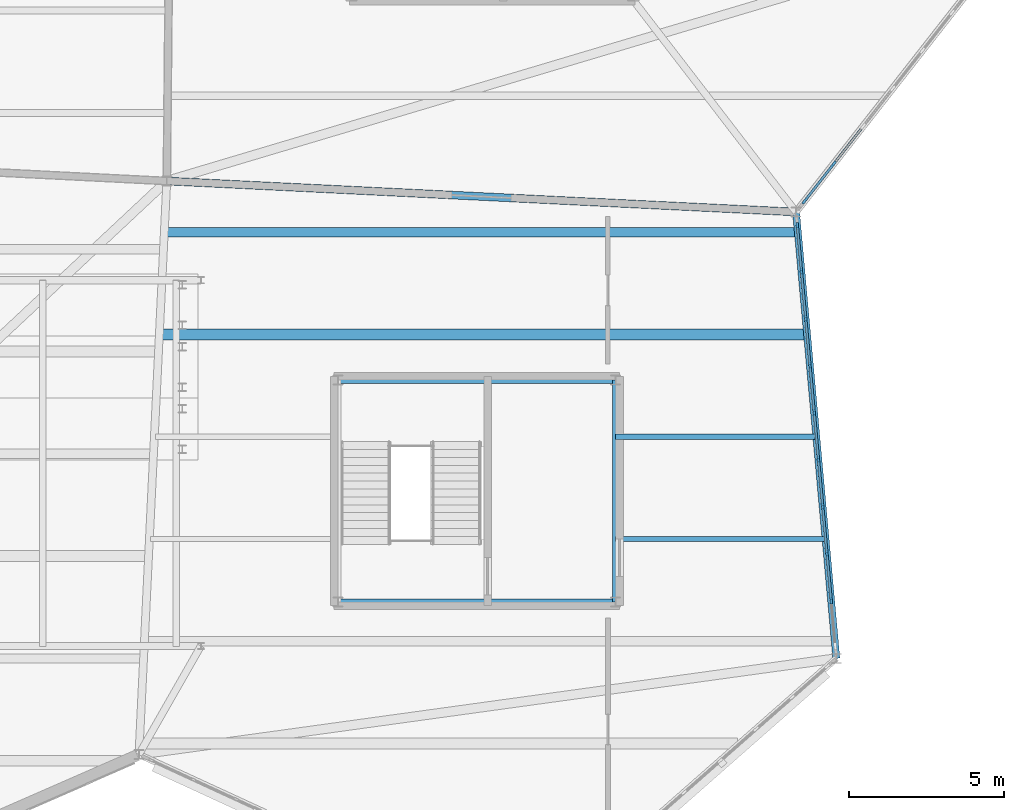
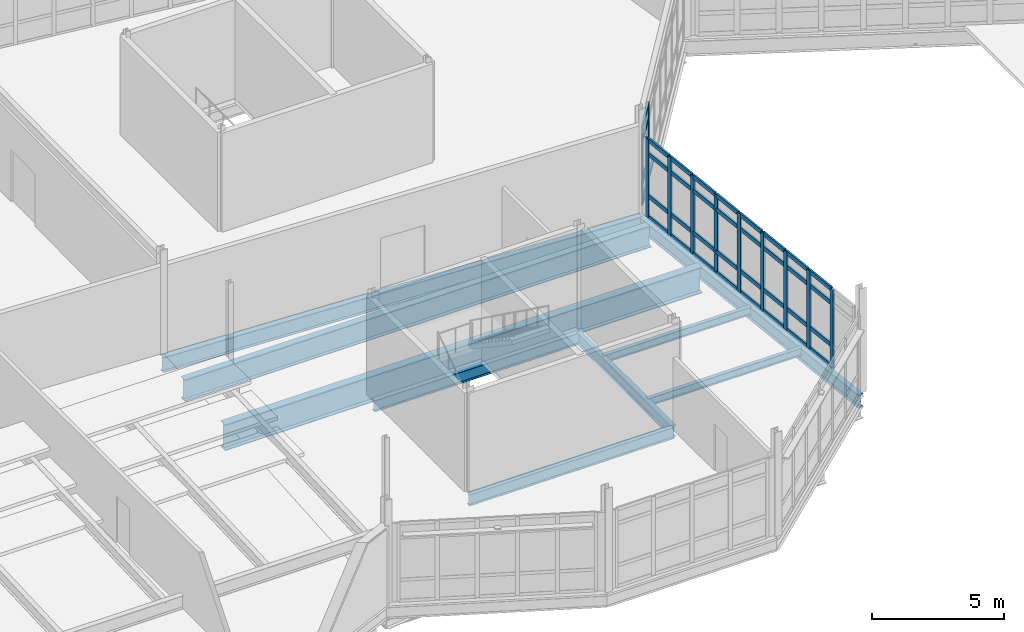
# One storey, part 28 of 134: 48 members, 9 beams, 2 elements without a shape of their own.
"""IFC4 building model written with IfcOpenShell, lengths in metres."""

from ifc_helpers import new_model, si_unit, direction, frame, origin, origin_2d, place, context, subcontext, project, spatial, rectangle, i_section, extrude, material, material_profile, profile_set, type_object, element, aggregate, save


model = new_model("IFC4")

# Units and contexts
model_context = context("Model", 3, precision=1e-05, world=origin(), true_north=direction((0.0, 1.0)))
body_context = subcontext(model_context, "Body", "Model", "MODEL_VIEW")
ifc_project = project(units=[si_unit("LENGTHUNIT", "METRE"), si_unit("AREAUNIT", "SQUARE_METRE"), si_unit("VOLUMEUNIT", "CUBIC_METRE"), si_unit("PLANEANGLEUNIT", "RADIAN"), si_unit("MASSUNIT", "GRAM", prefix="KILO")], contexts=[model_context])

# Site, building, storey
site_placement = place(None, origin())
site = spatial("IfcSite", under=ifc_project, at=site_placement, CompositionType="ELEMENT")
building_placement = place(site_placement, origin())
building = spatial("IfcBuilding", under=site, at=building_placement, Name="Tameran Prism Museum", CompositionType="ELEMENT")
storey_placement = place(building_placement, frame((0.0, 0.0, 5.39990234375)))
storey = spatial("IfcBuildingStorey", under=building, at=storey_placement, Name="L01", CompositionType="ELEMENT", Elevation=5.39990234375)

# Beams
ifc_material_1 = material(Name="Steel Grade 300PLUS (300 MPa)", Category="steel")
ifc_material_profile_1 = material_profile(ifc_material_1, i_section(OverallWidth=0.172119140625, OverallDepth=0.35888671875, WebThickness=0.008056640625, FlangeThickness=0.012939453125, FilletRadius=0.011474609375, at=origin_2d()))
ifc_profile_set_1 = profile_set([ifc_material_profile_1])
beam_type_1 = type_object("IfcBeamType", Name="BM-J360A", PredefinedType="JOIST", material=ifc_profile_set_1)
beam_1_placement = place(storey_placement, frame((37.97998046875, 13.75, -0.37939453125), z_axis=(1.0, 0.0, 0.0), x_axis=(0.0, 1.0, 0.0)))
element("IfcBeam", 1, at=beam_1_placement, inside=storey, type_object=beam_type_1, Name="Floor Beam BM-0594", PredefinedType="JOIST", context=body_context, shape_type="SweptSolid", body=[
    extrude(i_section(OverallWidth=0.172119140625, OverallDepth=0.35888671875, WebThickness=0.008056640625, FlangeThickness=0.012939453125, FilletRadius=0.011474609375, at=origin_2d()), origin(), (0.0, 0.0, 1.0), 6.43408203125),
])
ifc_material_2 = material(Name="Steel Grade 300PLUS (300 MPa)", Category="steel")
ifc_material_profile_2 = material_profile(ifc_material_2, i_section(OverallWidth=0.1708984375, OverallDepth=0.35595703125, WebThickness=0.00732421875, FlangeThickness=0.011474609375, FilletRadius=0.011474609375, at=origin_2d()))
ifc_profile_set_2 = profile_set([ifc_material_profile_2])
beam_type_2 = type_object("IfcBeamType", Name="BM-J360B", PredefinedType="JOIST", material=ifc_profile_set_2)
beam_2_placement = place(storey_placement, frame((37.97998046875, 10.449951171875, -0.3779296875), z_axis=(1.0, 0.0, 0.0), x_axis=(0.0, 1.0, 0.0)))
element("IfcBeam", 2, at=beam_2_placement, inside=storey, type_object=beam_type_2, Name="Floor Beam BM-0592", PredefinedType="JOIST", context=body_context, shape_type="SweptSolid", body=[
    extrude(i_section(OverallWidth=0.1708984375, OverallDepth=0.35595703125, WebThickness=0.00732421875, FlangeThickness=0.011474609375, FilletRadius=0.011474609375, at=origin_2d()), origin(), (0.0, 0.0, 1.0), 6.73193359375),
])
ifc_material_3 = material(Name="Steel Grade 300PLUS (300 MPa)", Category="steel")
ifc_material_profile_3 = material_profile(ifc_material_3, i_section(OverallWidth=0.208984375, OverallDepth=0.528076171875, WebThickness=0.009521484375, FlangeThickness=0.01318359375, FilletRadius=0.013916015625, at=origin_2d()))
ifc_profile_set_3 = profile_set([ifc_material_profile_3])
beam_type_3 = type_object("IfcBeamType", Name="BM-SP530B", PredefinedType="SPANDREL", material=ifc_profile_set_3)
beam_3_placement = place(storey_placement, frame((29.02001953125, 8.419921875, -0.50390625), z_axis=(1.0, 0.0, 0.0), x_axis=(0.0, 1.0, 0.0)))
element("IfcBeam", 3, at=beam_3_placement, inside=storey, type_object=beam_type_3, Name="Core Ring Beam CTB-0466", PredefinedType="SPANDREL", context=body_context, shape_type="SweptSolid", body=[
    extrude(i_section(OverallWidth=0.208984375, OverallDepth=0.528076171875, WebThickness=0.009521484375, FlangeThickness=0.01318359375, FilletRadius=0.013916015625, at=origin_2d()), origin(), (0.0, 0.0, 1.0), 8.9599609375),
])
beam_4_placement = place(storey_placement, frame((37.97998046875, 8.419921875, -0.50390625), z_axis=(0.0, 1.0, 0.0), x_axis=(-1.0, 0.0, 0.0)))
element("IfcBeam", 4, at=beam_4_placement, inside=storey, type_object=beam_type_3, Name="Core Ring Beam CTB-0467", PredefinedType="SPANDREL", context=body_context, shape_type="SweptSolid", body=[
    extrude(i_section(OverallWidth=0.208984375, OverallDepth=0.528076171875, WebThickness=0.009521484375, FlangeThickness=0.01318359375, FilletRadius=0.013916015625, at=origin_2d()), origin(), (0.0, 0.0, 1.0), 7.16015625),
])
beam_5_placement = place(storey_placement, frame((37.97998046875, 15.580078125, -0.50390625), z_axis=(-1.0, 0.0, 0.0), x_axis=(0.0, -1.0, 0.0)))
element("IfcBeam", 5, at=beam_5_placement, inside=storey, type_object=beam_type_3, Name="Core Ring Beam CTB-0468", PredefinedType="SPANDREL", context=body_context, shape_type="SweptSolid", body=[
    extrude(i_section(OverallWidth=0.208984375, OverallDepth=0.528076171875, WebThickness=0.009521484375, FlangeThickness=0.01318359375, FilletRadius=0.013916015625, at=origin_2d()), origin(), (0.0, 0.0, 1.0), 8.9599609375),
])
ifc_material_4 = material(Name="Steel Grade 300PLUS (300 MPa)", Category="steel")
ifc_material_profile_4 = material_profile(ifc_material_4, i_section(OverallWidth=0.22802734375, OverallDepth=0.60205078125, WebThickness=0.010498046875, FlangeThickness=0.014892578125, FilletRadius=0.013916015625, at=origin_2d()))
ifc_profile_set_4 = profile_set([ifc_material_profile_4])
beam_type_4 = type_object("IfcBeamType", Name="BM-SP610", PredefinedType="SPANDREL", material=ifc_profile_set_4)
beam_6_placement = place(storey_placement, frame((45.10009765625, 6.60009765625, -0.5009765625), z_axis=(-0.089916080565, 0.995949345326, 0.0), x_axis=(-0.995949345326, -0.089916080565, 0.0)))
element("IfcBeam", 6, at=beam_6_placement, inside=storey, type_object=beam_type_4, Name="Perimeter Spandrel SP-0394", PredefinedType="SPANDREL", context=body_context, shape_type="SweptSolid", body=[
    extrude(i_section(OverallWidth=0.22802734375, OverallDepth=0.60205078125, WebThickness=0.010498046875, FlangeThickness=0.014892578125, FilletRadius=0.013916015625, at=origin_2d()), origin(), (0.0, 0.0, 1.0), 14.45849609375),
])
ifc_material_5 = material(Name="Steel Grade 350 (350 MPa)", Category="steel")
ifc_material_profile_5 = material_profile(ifc_material_5, i_section(OverallWidth=0.25, OverallDepth=0.699951171875, WebThickness=0.010009765625, FlangeThickness=0.02001953125, at=origin_2d()))
ifc_profile_set_5 = profile_set([ifc_material_profile_5])
beam_type_5 = type_object("IfcBeamType", Name="BM-SP700", PredefinedType="SPANDREL", material=ifc_profile_set_5)
beam_7_placement = place(storey_placement, frame((43.800048828125, 21.0, -0.5498046875), z_axis=(-0.998788882418, 0.049201304434, 0.0), x_axis=(-0.049201304434, -0.998788882418, 0.0)))
element("IfcBeam", 7, at=beam_7_placement, inside=storey, type_object=beam_type_5, Name="Perimeter Spandrel SP-0395", PredefinedType="SPANDREL", context=body_context, shape_type="SweptSolid", body=[
    extrude(i_section(OverallWidth=0.25, OverallDepth=0.699951171875, WebThickness=0.010009765625, FlangeThickness=0.02001953125, at=origin_2d()), origin(), (0.0, 0.0, 1.0), 20.32470703125),
])
ifc_material_6 = material(Name="Steel Grade 350 (350 MPa)", Category="steel")
ifc_material_profile_6 = material_profile(ifc_material_6, i_section(OverallWidth=0.300048828125, OverallDepth=1.0, WebThickness=0.01611328125, FlangeThickness=0.031982421875, at=origin_2d()))
ifc_profile_set_6 = profile_set([ifc_material_profile_6])
beam_type_6 = type_object("IfcBeamType", Name="BM-WB1000", PredefinedType="BEAM", material=ifc_profile_set_6)
beam_8_placement = place(storey_placement, frame((23.4599609375, 20.35009765625, -0.699951171875), z_axis=(1.0, 0.0, 0.0), x_axis=(0.0, 1.0, 0.0)))
element("IfcBeam", 8, at=beam_8_placement, inside=storey, type_object=beam_type_6, Name="Floor Beam BM-0596", PredefinedType="BEAM", context=body_context, shape_type="SweptSolid", body=[
    extrude(i_section(OverallWidth=0.300048828125, OverallDepth=1.0, WebThickness=0.01611328125, FlangeThickness=0.031982421875, at=origin_2d()), origin(), (0.0, 0.0, 1.0), 20.359130859375),
])
ifc_material_7 = material(Name="Steel Grade 350 (350 MPa)", Category="steel")
ifc_material_profile_7 = material_profile(ifc_material_7, i_section(OverallWidth=0.35009765625, OverallDepth=1.199951171875, WebThickness=0.01611328125, FlangeThickness=0.035888671875, at=origin_2d()))
ifc_profile_set_7 = profile_set([ifc_material_profile_7])
beam_type_7 = type_object("IfcBeamType", Name="BM-WB1200", PredefinedType="BEAM", material=ifc_profile_set_7)
beam_9_placement = place(storey_placement, frame((23.299072265625, 17.050048828125, -0.7998046875), z_axis=(1.0, 0.0, 0.0), x_axis=(0.0, 1.0, 0.0)))
element("IfcBeam", 9, at=beam_9_placement, inside=storey, type_object=beam_type_7, Name="Floor Beam BM-0595", PredefinedType="BEAM", context=body_context, shape_type="SweptSolid", body=[
    extrude(i_section(OverallWidth=0.35009765625, OverallDepth=1.199951171875, WebThickness=0.01611328125, FlangeThickness=0.035888671875, at=origin_2d()), origin(), (0.0, 0.0, 1.0), 20.81689453125),
])

# Curtain wall, members
ifc_material_8 = material(Name="Anodised Aluminium 6063-T6 and Cyclone Solar Glass", Category="aluminium")
curtain_wall_type_1 = type_object("IfcCurtainWallType", Name="CW-FAC-1370x362", PredefinedType="USERDEFINED", material=ifc_material_8)
curtain_wall_1_placement = place(storey_placement, origin())
curtain_wall_1 = element("IfcCurtainWall", 10, at=curtain_wall_1_placement, inside=storey, type_object=curtain_wall_type_1, Name="Unitised Curtain Wall CW-086", ObjectType="UNITISED CURTAIN WALL", PredefinedType="USERDEFINED")
ifc_material_9 = material(Name="Anodised Aluminium Alloy 6063-T6", Category="aluminium")
ifc_material_profile_8 = material_profile(ifc_material_9, rectangle(XDim=0.080078125, YDim=0.219970703125, at=origin_2d()))
ifc_profile_set_8 = profile_set([ifc_material_profile_8])
member_type_1 = type_object("IfcMemberType", Name="CW-MUL-D", PredefinedType="MULLION", material=ifc_profile_set_8)
member_1_placement = place(storey_placement, frame((43.839599609375, 20.55126953125, 0.0), z_axis=(0.0, 0.0, 1.0), x_axis=(0.995940344723, 0.090015719474, 0.0)))
member_1 = element("IfcMember", 11, at=member_1_placement, type_object=member_type_1, Name="CW-086 mullion 1", PredefinedType="MULLION", context=body_context, shape_type="SweptSolid", body=[
    extrude(rectangle(XDim=0.080078125, YDim=0.219970703125, at=origin_2d()), origin(), (0.0, 0.0, 1.0), 3.6201171875),
])
member_2_placement = place(storey_placement, frame((43.972900390625, 19.0751953125, 0.0), z_axis=(0.0, 0.0, 1.0), x_axis=(0.995940344723, 0.090015719474, 0.0)))
member_2 = element("IfcMember", 12, at=member_2_placement, type_object=member_type_1, Name="CW-086 mullion 2", PredefinedType="MULLION", context=body_context, shape_type="SweptSolid", body=[
    extrude(rectangle(XDim=0.080078125, YDim=0.219970703125, at=origin_2d()), origin(), (0.0, 0.0, 1.0), 3.6201171875),
])
member_3_placement = place(storey_placement, frame((44.110107421875, 17.559326171875, 0.0), z_axis=(0.0, 0.0, 1.0), x_axis=(0.995940344723, 0.090015719474, 0.0)))
member_3 = element("IfcMember", 13, at=member_3_placement, type_object=member_type_1, Name="CW-086 mullion 3", PredefinedType="MULLION", context=body_context, shape_type="SweptSolid", body=[
    extrude(rectangle(XDim=0.080078125, YDim=0.219970703125, at=origin_2d()), origin(), (0.0, 0.0, 1.0), 3.6201171875),
])
member_4_placement = place(storey_placement, frame((44.2470703125, 16.043701171875, 0.0), z_axis=(0.0, 0.0, 1.0), x_axis=(0.995940344723, 0.090015719474, 0.0)))
member_4 = element("IfcMember", 14, at=member_4_placement, type_object=member_type_1, Name="CW-086 mullion 4", PredefinedType="MULLION", context=body_context, shape_type="SweptSolid", body=[
    extrude(rectangle(XDim=0.080078125, YDim=0.219970703125, at=origin_2d()), origin(), (0.0, 0.0, 1.0), 3.6201171875),
])
member_5_placement = place(storey_placement, frame((44.384033203125, 14.52783203125, 0.0), z_axis=(0.0, 0.0, 1.0), x_axis=(0.995940344723, 0.090015719474, 0.0)))
member_5 = element("IfcMember", 15, at=member_5_placement, type_object=member_type_1, Name="CW-086 mullion 5", PredefinedType="MULLION", context=body_context, shape_type="SweptSolid", body=[
    extrude(rectangle(XDim=0.080078125, YDim=0.219970703125, at=origin_2d()), origin(), (0.0, 0.0, 1.0), 3.6201171875),
])
member_6_placement = place(storey_placement, frame((44.52099609375, 13.01220703125, 0.0), z_axis=(0.0, 0.0, 1.0), x_axis=(0.995940344723, 0.090015719474, 0.0)))
member_6 = element("IfcMember", 16, at=member_6_placement, type_object=member_type_1, Name="CW-086 mullion 6", PredefinedType="MULLION", context=body_context, shape_type="SweptSolid", body=[
    extrude(rectangle(XDim=0.080078125, YDim=0.219970703125, at=origin_2d()), origin(), (0.0, 0.0, 1.0), 3.6201171875),
])
member_7_placement = place(storey_placement, frame((44.657958984375, 11.496337890625, 0.0), z_axis=(0.0, 0.0, 1.0), x_axis=(0.995940344723, 0.090015719474, 0.0)))
member_7 = element("IfcMember", 17, at=member_7_placement, type_object=member_type_1, Name="CW-086 mullion 7", PredefinedType="MULLION", context=body_context, shape_type="SweptSolid", body=[
    extrude(rectangle(XDim=0.080078125, YDim=0.219970703125, at=origin_2d()), origin(), (0.0, 0.0, 1.0), 3.6201171875),
])
member_8_placement = place(storey_placement, frame((44.794921875, 9.98046875, 0.0), z_axis=(0.0, 0.0, 1.0), x_axis=(0.995940344723, 0.090015719474, 0.0)))
member_8 = element("IfcMember", 18, at=member_8_placement, type_object=member_type_1, Name="CW-086 mullion 8", PredefinedType="MULLION", context=body_context, shape_type="SweptSolid", body=[
    extrude(rectangle(XDim=0.080078125, YDim=0.219970703125, at=origin_2d()), origin(), (0.0, 0.0, 1.0), 3.6201171875),
])
member_9_placement = place(storey_placement, frame((44.931884765625, 8.46484375, 0.0), z_axis=(0.0, 0.0, 1.0), x_axis=(0.995940344723, 0.090015719474, 0.0)))
member_9 = element("IfcMember", 19, at=member_9_placement, type_object=member_type_1, Name="CW-086 mullion 9", PredefinedType="MULLION", context=body_context, shape_type="SweptSolid", body=[
    extrude(rectangle(XDim=0.080078125, YDim=0.219970703125, at=origin_2d()), origin(), (0.0, 0.0, 1.0), 3.6201171875),
])

ifc_material_10 = material(Name="Anodised Aluminium 6063-T6 and Cyclone Solar Glass", Category="aluminium")
curtain_wall_type_2 = type_object("IfcCurtainWallType", Name="CW-FAC-1086x362", PredefinedType="USERDEFINED", material=ifc_material_10)
curtain_wall_2_placement = place(storey_placement, origin())
curtain_wall_2 = element("IfcCurtainWall", 20, at=curtain_wall_2_placement, inside=storey, type_object=curtain_wall_type_2, Name="Unitised Curtain Wall CW-090", ObjectType="UNITISED CURTAIN WALL", PredefinedType="USERDEFINED")
member_10_placement = place(storey_placement, frame((45.00927734375, 22.544921875, 0.0), z_axis=(0.0, 0.0, 1.0), x_axis=(0.787524428179, -0.616283437245, 0.0)))
member_10 = element("IfcMember", 21, at=member_10_placement, type_object=member_type_1, Name="CW-090 mullion 7", PredefinedType="MULLION", context=body_context, shape_type="SweptSolid", body=[
    extrude(rectangle(XDim=0.080078125, YDim=0.219970703125, at=origin_2d()), origin(), (0.0, 0.0, 1.0), 3.6201171875),
])
member_11_placement = place(storey_placement, frame((44.07763671875, 21.3544921875, 0.0), z_axis=(0.0, 0.0, 1.0), x_axis=(0.787524428179, -0.616283437245, 0.0)))
member_11 = element("IfcMember", 22, at=member_11_placement, type_object=member_type_1, Name="CW-090 mullion 8", PredefinedType="MULLION", context=body_context, shape_type="SweptSolid", body=[
    extrude(rectangle(XDim=0.080078125, YDim=0.219970703125, at=origin_2d()), origin(), (0.0, 0.0, 1.0), 3.6201171875),
])

# Member
ifc_material_11 = material(Name="Anodised Aluminium Alloy 6063-T6", Category="aluminium")
ifc_material_profile_9 = material_profile(ifc_material_11, rectangle(XDim=0.080078125, YDim=0.195068359375, at=origin_2d()))
ifc_profile_set_9 = profile_set([ifc_material_profile_9])
member_type_2 = type_object("IfcMemberType", Name="CW-TRN-D", PredefinedType="USERDEFINED", material=ifc_profile_set_9)
member_12_placement = place(storey_placement, frame((43.84326171875, 20.51123046875, 0.0400390625), z_axis=(0.090033281605, -0.995938757255, 0.0), x_axis=(0.995938757255, 0.090033281605, 0.0)))
member_12 = element("IfcMember", 23, at=member_12_placement, type_object=member_type_2, Name="CW-086 transom 1.1", ObjectType="TRANSOM", PredefinedType="USERDEFINED", context=body_context, shape_type="SweptSolid", body=[
    extrude(rectangle(XDim=0.080078125, YDim=0.195068359375, at=origin_2d()), origin(), (0.0, 0.0, 1.0), 1.40185546875),
])

member_13_placement = place(storey_placement, frame((43.84326171875, 20.51123046875, 1.0), z_axis=(0.090033281605, -0.995938757255, 0.0), x_axis=(0.995938757255, 0.090033281605, 0.0)))
member_13 = element("IfcMember", 24, at=member_13_placement, type_object=member_type_2, Name="CW-086 transom 1.2", ObjectType="TRANSOM", PredefinedType="USERDEFINED", context=body_context, shape_type="SweptSolid", body=[
    extrude(rectangle(XDim=0.080078125, YDim=0.195068359375, at=origin_2d()), origin(), (0.0, 0.0, 1.0), 1.40185546875),
])

member_14_placement = place(storey_placement, frame((43.84326171875, 20.51123046875, 2.940185546875), z_axis=(0.090033281605, -0.995938757255, 0.0), x_axis=(0.995938757255, 0.090033281605, 0.0)))
member_14 = element("IfcMember", 25, at=member_14_placement, type_object=member_type_2, Name="CW-086 transom 1.3", ObjectType="TRANSOM", PredefinedType="USERDEFINED", context=body_context, shape_type="SweptSolid", body=[
    extrude(rectangle(XDim=0.080078125, YDim=0.195068359375, at=origin_2d()), origin(), (0.0, 0.0, 1.0), 1.40185546875),
])

member_15_placement = place(storey_placement, frame((43.84326171875, 20.51123046875, 3.580078125), z_axis=(0.090033281605, -0.995938757255, 0.0), x_axis=(0.995938757255, 0.090033281605, 0.0)))
member_15 = element("IfcMember", 26, at=member_15_placement, type_object=member_type_2, Name="CW-086 transom 1.4", ObjectType="TRANSOM", PredefinedType="USERDEFINED", context=body_context, shape_type="SweptSolid", body=[
    extrude(rectangle(XDim=0.080078125, YDim=0.195068359375, at=origin_2d()), origin(), (0.0, 0.0, 1.0), 1.40185546875),
])

member_16_placement = place(storey_placement, frame((43.9765625, 19.035400390625, 0.0400390625), z_axis=(0.090077742278, -0.995934736991, 0.0), x_axis=(0.995934736991, 0.090077742278, 0.0)))
member_16 = element("IfcMember", 27, at=member_16_placement, type_object=member_type_2, Name="CW-086 transom 2.1", ObjectType="TRANSOM", PredefinedType="USERDEFINED", context=body_context, shape_type="SweptSolid", body=[
    extrude(rectangle(XDim=0.080078125, YDim=0.195068359375, at=origin_2d()), origin(), (0.0, 0.0, 1.0), 1.44189453125),
])

member_17_placement = place(storey_placement, frame((43.9765625, 19.035400390625, 1.0), z_axis=(0.090077742278, -0.995934736991, 0.0), x_axis=(0.995934736991, 0.090077742278, 0.0)))
member_17 = element("IfcMember", 28, at=member_17_placement, type_object=member_type_2, Name="CW-086 transom 2.2", ObjectType="TRANSOM", PredefinedType="USERDEFINED", context=body_context, shape_type="SweptSolid", body=[
    extrude(rectangle(XDim=0.080078125, YDim=0.195068359375, at=origin_2d()), origin(), (0.0, 0.0, 1.0), 1.44189453125),
])

member_18_placement = place(storey_placement, frame((43.9765625, 19.035400390625, 2.940185546875), z_axis=(0.090077742278, -0.995934736991, 0.0), x_axis=(0.995934736991, 0.090077742278, 0.0)))
member_18 = element("IfcMember", 29, at=member_18_placement, type_object=member_type_2, Name="CW-086 transom 2.3", ObjectType="TRANSOM", PredefinedType="USERDEFINED", context=body_context, shape_type="SweptSolid", body=[
    extrude(rectangle(XDim=0.080078125, YDim=0.195068359375, at=origin_2d()), origin(), (0.0, 0.0, 1.0), 1.44189453125),
])

member_19_placement = place(storey_placement, frame((43.9765625, 19.035400390625, 3.580078125), z_axis=(0.090077742278, -0.995934736991, 0.0), x_axis=(0.995934736991, 0.090077742278, 0.0)))
member_19 = element("IfcMember", 30, at=member_19_placement, type_object=member_type_2, Name="CW-086 transom 2.4", ObjectType="TRANSOM", PredefinedType="USERDEFINED", context=body_context, shape_type="SweptSolid", body=[
    extrude(rectangle(XDim=0.080078125, YDim=0.195068359375, at=origin_2d()), origin(), (0.0, 0.0, 1.0), 1.44189453125),
])

member_20_placement = place(storey_placement, frame((44.113525390625, 17.51953125, 0.0400390625), z_axis=(0.090077742278, -0.995934736991, 0.0), x_axis=(0.995934736991, 0.090077742278, 0.0)))
member_20 = element("IfcMember", 31, at=member_20_placement, type_object=member_type_2, Name="CW-086 transom 3.1", ObjectType="TRANSOM", PredefinedType="USERDEFINED", context=body_context, shape_type="SweptSolid", body=[
    extrude(rectangle(XDim=0.080078125, YDim=0.195068359375, at=origin_2d()), origin(), (0.0, 0.0, 1.0), 1.44189453125),
])

member_21_placement = place(storey_placement, frame((44.113525390625, 17.51953125, 1.0), z_axis=(0.090077742278, -0.995934736991, 0.0), x_axis=(0.995934736991, 0.090077742278, 0.0)))
member_21 = element("IfcMember", 32, at=member_21_placement, type_object=member_type_2, Name="CW-086 transom 3.2", ObjectType="TRANSOM", PredefinedType="USERDEFINED", context=body_context, shape_type="SweptSolid", body=[
    extrude(rectangle(XDim=0.080078125, YDim=0.195068359375, at=origin_2d()), origin(), (0.0, 0.0, 1.0), 1.44189453125),
])

member_22_placement = place(storey_placement, frame((44.113525390625, 17.51953125, 2.940185546875), z_axis=(0.090077742278, -0.995934736991, 0.0), x_axis=(0.995934736991, 0.090077742278, 0.0)))
member_22 = element("IfcMember", 33, at=member_22_placement, type_object=member_type_2, Name="CW-086 transom 3.3", ObjectType="TRANSOM", PredefinedType="USERDEFINED", context=body_context, shape_type="SweptSolid", body=[
    extrude(rectangle(XDim=0.080078125, YDim=0.195068359375, at=origin_2d()), origin(), (0.0, 0.0, 1.0), 1.44189453125),
])

member_23_placement = place(storey_placement, frame((44.113525390625, 17.51953125, 3.580078125), z_axis=(0.090077742278, -0.995934736991, 0.0), x_axis=(0.995934736991, 0.090077742278, 0.0)))
member_23 = element("IfcMember", 34, at=member_23_placement, type_object=member_type_2, Name="CW-086 transom 3.4", ObjectType="TRANSOM", PredefinedType="USERDEFINED", context=body_context, shape_type="SweptSolid", body=[
    extrude(rectangle(XDim=0.080078125, YDim=0.195068359375, at=origin_2d()), origin(), (0.0, 0.0, 1.0), 1.44189453125),
])

member_24_placement = place(storey_placement, frame((44.25048828125, 16.00390625, 0.0400390625), z_axis=(0.090062554952, -0.995936110499, 0.0), x_axis=(0.995936110499, 0.090062554952, 0.0)))
member_24 = element("IfcMember", 35, at=member_24_placement, type_object=member_type_2, Name="CW-086 transom 4.1", ObjectType="TRANSOM", PredefinedType="USERDEFINED", context=body_context, shape_type="SweptSolid", body=[
    extrude(rectangle(XDim=0.080078125, YDim=0.195068359375, at=origin_2d()), origin(), (0.0, 0.0, 1.0), 1.442138671875),
])

member_25_placement = place(storey_placement, frame((44.25048828125, 16.00390625, 1.0), z_axis=(0.090062554952, -0.995936110499, 0.0), x_axis=(0.995936110499, 0.090062554952, 0.0)))
member_25 = element("IfcMember", 36, at=member_25_placement, type_object=member_type_2, Name="CW-086 transom 4.2", ObjectType="TRANSOM", PredefinedType="USERDEFINED", context=body_context, shape_type="SweptSolid", body=[
    extrude(rectangle(XDim=0.080078125, YDim=0.195068359375, at=origin_2d()), origin(), (0.0, 0.0, 1.0), 1.442138671875),
])

member_26_placement = place(storey_placement, frame((44.25048828125, 16.00390625, 2.940185546875), z_axis=(0.090062554952, -0.995936110499, 0.0), x_axis=(0.995936110499, 0.090062554952, 0.0)))
member_26 = element("IfcMember", 37, at=member_26_placement, type_object=member_type_2, Name="CW-086 transom 4.3", ObjectType="TRANSOM", PredefinedType="USERDEFINED", context=body_context, shape_type="SweptSolid", body=[
    extrude(rectangle(XDim=0.080078125, YDim=0.195068359375, at=origin_2d()), origin(), (0.0, 0.0, 1.0), 1.442138671875),
])

member_27_placement = place(storey_placement, frame((44.25048828125, 16.00390625, 3.580078125), z_axis=(0.090062554952, -0.995936110499, 0.0), x_axis=(0.995936110499, 0.090062554952, 0.0)))
member_27 = element("IfcMember", 38, at=member_27_placement, type_object=member_type_2, Name="CW-086 transom 4.4", ObjectType="TRANSOM", PredefinedType="USERDEFINED", context=body_context, shape_type="SweptSolid", body=[
    extrude(rectangle(XDim=0.080078125, YDim=0.195068359375, at=origin_2d()), origin(), (0.0, 0.0, 1.0), 1.442138671875),
])

member_28_placement = place(storey_placement, frame((44.3876953125, 14.488037109375, 0.0400390625), z_axis=(0.089909793229, -0.995949912938, 0.0), x_axis=(0.995949912938, 0.089909793229, 0.0)))
member_28 = element("IfcMember", 39, at=member_28_placement, type_object=member_type_2, Name="CW-086 transom 5.1", ObjectType="TRANSOM", PredefinedType="USERDEFINED", context=body_context, shape_type="SweptSolid", body=[
    extrude(rectangle(XDim=0.080078125, YDim=0.195068359375, at=origin_2d()), origin(), (0.0, 0.0, 1.0), 1.44189453125),
])

member_29_placement = place(storey_placement, frame((44.3876953125, 14.488037109375, 1.0), z_axis=(0.089909793229, -0.995949912938, 0.0), x_axis=(0.995949912938, 0.089909793229, 0.0)))
member_29 = element("IfcMember", 40, at=member_29_placement, type_object=member_type_2, Name="CW-086 transom 5.2", ObjectType="TRANSOM", PredefinedType="USERDEFINED", context=body_context, shape_type="SweptSolid", body=[
    extrude(rectangle(XDim=0.080078125, YDim=0.195068359375, at=origin_2d()), origin(), (0.0, 0.0, 1.0), 1.44189453125),
])

member_30_placement = place(storey_placement, frame((44.3876953125, 14.488037109375, 2.940185546875), z_axis=(0.089909793229, -0.995949912938, 0.0), x_axis=(0.995949912938, 0.089909793229, 0.0)))
member_30 = element("IfcMember", 41, at=member_30_placement, type_object=member_type_2, Name="CW-086 transom 5.3", ObjectType="TRANSOM", PredefinedType="USERDEFINED", context=body_context, shape_type="SweptSolid", body=[
    extrude(rectangle(XDim=0.080078125, YDim=0.195068359375, at=origin_2d()), origin(), (0.0, 0.0, 1.0), 1.44189453125),
])

member_31_placement = place(storey_placement, frame((44.3876953125, 14.488037109375, 3.580078125), z_axis=(0.089909793229, -0.995949912938, 0.0), x_axis=(0.995949912938, 0.089909793229, 0.0)))
member_31 = element("IfcMember", 42, at=member_31_placement, type_object=member_type_2, Name="CW-086 transom 5.4", ObjectType="TRANSOM", PredefinedType="USERDEFINED", context=body_context, shape_type="SweptSolid", body=[
    extrude(rectangle(XDim=0.080078125, YDim=0.195068359375, at=origin_2d()), origin(), (0.0, 0.0, 1.0), 1.44189453125),
])

member_32_placement = place(storey_placement, frame((44.524658203125, 12.97216796875, 0.0400390625), z_axis=(0.089909793229, -0.995949912938, 0.0), x_axis=(0.995949912938, 0.089909793229, 0.0)))
member_32 = element("IfcMember", 43, at=member_32_placement, type_object=member_type_2, Name="CW-086 transom 6.1", ObjectType="TRANSOM", PredefinedType="USERDEFINED", context=body_context, shape_type="SweptSolid", body=[
    extrude(rectangle(XDim=0.080078125, YDim=0.195068359375, at=origin_2d()), origin(), (0.0, 0.0, 1.0), 1.44189453125),
])

member_33_placement = place(storey_placement, frame((44.524658203125, 12.97216796875, 1.0), z_axis=(0.089909793229, -0.995949912938, 0.0), x_axis=(0.995949912938, 0.089909793229, 0.0)))
member_33 = element("IfcMember", 44, at=member_33_placement, type_object=member_type_2, Name="CW-086 transom 6.2", ObjectType="TRANSOM", PredefinedType="USERDEFINED", context=body_context, shape_type="SweptSolid", body=[
    extrude(rectangle(XDim=0.080078125, YDim=0.195068359375, at=origin_2d()), origin(), (0.0, 0.0, 1.0), 1.44189453125),
])

member_34_placement = place(storey_placement, frame((44.524658203125, 12.97216796875, 2.940185546875), z_axis=(0.089909793229, -0.995949912938, 0.0), x_axis=(0.995949912938, 0.089909793229, 0.0)))
member_34 = element("IfcMember", 45, at=member_34_placement, type_object=member_type_2, Name="CW-086 transom 6.3", ObjectType="TRANSOM", PredefinedType="USERDEFINED", context=body_context, shape_type="SweptSolid", body=[
    extrude(rectangle(XDim=0.080078125, YDim=0.195068359375, at=origin_2d()), origin(), (0.0, 0.0, 1.0), 1.44189453125),
])

member_35_placement = place(storey_placement, frame((44.524658203125, 12.97216796875, 3.580078125), z_axis=(0.089909793229, -0.995949912938, 0.0), x_axis=(0.995949912938, 0.089909793229, 0.0)))
member_35 = element("IfcMember", 46, at=member_35_placement, type_object=member_type_2, Name="CW-086 transom 6.4", ObjectType="TRANSOM", PredefinedType="USERDEFINED", context=body_context, shape_type="SweptSolid", body=[
    extrude(rectangle(XDim=0.080078125, YDim=0.195068359375, at=origin_2d()), origin(), (0.0, 0.0, 1.0), 1.44189453125),
])

member_36_placement = place(storey_placement, frame((44.66162109375, 11.45654296875, 0.0400390625), z_axis=(0.090077742278, -0.995934736991, 0.0), x_axis=(0.995934736991, 0.090077742278, 0.0)))
member_36 = element("IfcMember", 47, at=member_36_placement, type_object=member_type_2, Name="CW-086 transom 7.1", ObjectType="TRANSOM", PredefinedType="USERDEFINED", context=body_context, shape_type="SweptSolid", body=[
    extrude(rectangle(XDim=0.080078125, YDim=0.195068359375, at=origin_2d()), origin(), (0.0, 0.0, 1.0), 1.44189453125),
])

member_37_placement = place(storey_placement, frame((44.66162109375, 11.45654296875, 1.0), z_axis=(0.090077742278, -0.995934736991, 0.0), x_axis=(0.995934736991, 0.090077742278, 0.0)))
member_37 = element("IfcMember", 48, at=member_37_placement, type_object=member_type_2, Name="CW-086 transom 7.2", ObjectType="TRANSOM", PredefinedType="USERDEFINED", context=body_context, shape_type="SweptSolid", body=[
    extrude(rectangle(XDim=0.080078125, YDim=0.195068359375, at=origin_2d()), origin(), (0.0, 0.0, 1.0), 1.44189453125),
])

member_38_placement = place(storey_placement, frame((44.66162109375, 11.45654296875, 2.940185546875), z_axis=(0.090077742278, -0.995934736991, 0.0), x_axis=(0.995934736991, 0.090077742278, 0.0)))
member_38 = element("IfcMember", 49, at=member_38_placement, type_object=member_type_2, Name="CW-086 transom 7.3", ObjectType="TRANSOM", PredefinedType="USERDEFINED", context=body_context, shape_type="SweptSolid", body=[
    extrude(rectangle(XDim=0.080078125, YDim=0.195068359375, at=origin_2d()), origin(), (0.0, 0.0, 1.0), 1.44189453125),
])

member_39_placement = place(storey_placement, frame((44.66162109375, 11.45654296875, 3.580078125), z_axis=(0.090077742278, -0.995934736991, 0.0), x_axis=(0.995934736991, 0.090077742278, 0.0)))
member_39 = element("IfcMember", 50, at=member_39_placement, type_object=member_type_2, Name="CW-086 transom 7.4", ObjectType="TRANSOM", PredefinedType="USERDEFINED", context=body_context, shape_type="SweptSolid", body=[
    extrude(rectangle(XDim=0.080078125, YDim=0.195068359375, at=origin_2d()), origin(), (0.0, 0.0, 1.0), 1.44189453125),
])

member_40_placement = place(storey_placement, frame((44.798583984375, 9.940673828125, 0.0400390625), z_axis=(0.090077742278, -0.995934736991, 0.0), x_axis=(0.995934736991, 0.090077742278, 0.0)))
member_40 = element("IfcMember", 51, at=member_40_placement, type_object=member_type_2, Name="CW-086 transom 8.1", ObjectType="TRANSOM", PredefinedType="USERDEFINED", context=body_context, shape_type="SweptSolid", body=[
    extrude(rectangle(XDim=0.080078125, YDim=0.195068359375, at=origin_2d()), origin(), (0.0, 0.0, 1.0), 1.44189453125),
])

member_41_placement = place(storey_placement, frame((44.798583984375, 9.940673828125, 1.0), z_axis=(0.090077742278, -0.995934736991, 0.0), x_axis=(0.995934736991, 0.090077742278, 0.0)))
member_41 = element("IfcMember", 52, at=member_41_placement, type_object=member_type_2, Name="CW-086 transom 8.2", ObjectType="TRANSOM", PredefinedType="USERDEFINED", context=body_context, shape_type="SweptSolid", body=[
    extrude(rectangle(XDim=0.080078125, YDim=0.195068359375, at=origin_2d()), origin(), (0.0, 0.0, 1.0), 1.44189453125),
])

member_42_placement = place(storey_placement, frame((44.798583984375, 9.940673828125, 2.940185546875), z_axis=(0.090077742278, -0.995934736991, 0.0), x_axis=(0.995934736991, 0.090077742278, 0.0)))
member_42 = element("IfcMember", 53, at=member_42_placement, type_object=member_type_2, Name="CW-086 transom 8.3", ObjectType="TRANSOM", PredefinedType="USERDEFINED", context=body_context, shape_type="SweptSolid", body=[
    extrude(rectangle(XDim=0.080078125, YDim=0.195068359375, at=origin_2d()), origin(), (0.0, 0.0, 1.0), 1.44189453125),
])

member_43_placement = place(storey_placement, frame((44.798583984375, 9.940673828125, 3.580078125), z_axis=(0.090077742278, -0.995934736991, 0.0), x_axis=(0.995934736991, 0.090077742278, 0.0)))
member_43 = element("IfcMember", 54, at=member_43_placement, type_object=member_type_2, Name="CW-086 transom 8.4", ObjectType="TRANSOM", PredefinedType="USERDEFINED", context=body_context, shape_type="SweptSolid", body=[
    extrude(rectangle(XDim=0.080078125, YDim=0.195068359375, at=origin_2d()), origin(), (0.0, 0.0, 1.0), 1.44189453125),
])

aggregate(curtain_wall_1, [member_1, member_2, member_3, member_4, member_5, member_6, member_7, member_8, member_9, member_12, member_13, member_14, member_15, member_16, member_17, member_18, member_19, member_20, member_21, member_22, member_23, member_24, member_25, member_26, member_27, member_28, member_29, member_30, member_31, member_32, member_33, member_34, member_35, member_36, member_37, member_38, member_39, member_40, member_41, member_42, member_43])

member_44_placement = place(storey_placement, frame((45.94091796875, 23.735595703125, 0.0400390625), z_axis=(-0.616223279056, -0.787571501738, 0.0), x_axis=(0.787571501738, -0.616223279056, 0.0)))
member_44 = element("IfcMember", 55, at=member_44_placement, type_object=member_type_2, Name="CW-090 transom 6.1", ObjectType="TRANSOM", PredefinedType="USERDEFINED", context=body_context, shape_type="SweptSolid", body=[
    extrude(rectangle(XDim=0.080078125, YDim=0.195068359375, at=origin_2d()), origin(), (0.0, 0.0, 1.0), 1.471923828125),
])

member_45_placement = place(storey_placement, frame((44.984619140625, 22.513427734375, 0.0400390625), z_axis=(-0.616299065337, -0.787512198042, 0.0), x_axis=(0.787512198042, -0.616299065337, 0.0)))
member_45 = element("IfcMember", 56, at=member_45_placement, type_object=member_type_2, Name="CW-090 transom 7.1", ObjectType="TRANSOM", PredefinedType="USERDEFINED", context=body_context, shape_type="SweptSolid", body=[
    extrude(rectangle(XDim=0.080078125, YDim=0.195068359375, at=origin_2d()), origin(), (0.0, 0.0, 1.0), 1.431640625),
])

member_46_placement = place(storey_placement, frame((44.984619140625, 22.513427734375, 1.0), z_axis=(-0.616299065337, -0.787512198042, 0.0), x_axis=(0.787512198042, -0.616299065337, 0.0)))
member_46 = element("IfcMember", 57, at=member_46_placement, type_object=member_type_2, Name="CW-090 transom 7.2", ObjectType="TRANSOM", PredefinedType="USERDEFINED", context=body_context, shape_type="SweptSolid", body=[
    extrude(rectangle(XDim=0.080078125, YDim=0.195068359375, at=origin_2d()), origin(), (0.0, 0.0, 1.0), 1.431640625),
])

member_47_placement = place(storey_placement, frame((44.984619140625, 22.513427734375, 2.940185546875), z_axis=(-0.616299065337, -0.787512198042, 0.0), x_axis=(0.787512198042, -0.616299065337, 0.0)))
member_47 = element("IfcMember", 58, at=member_47_placement, type_object=member_type_2, Name="CW-090 transom 7.3", ObjectType="TRANSOM", PredefinedType="USERDEFINED", context=body_context, shape_type="SweptSolid", body=[
    extrude(rectangle(XDim=0.080078125, YDim=0.195068359375, at=origin_2d()), origin(), (0.0, 0.0, 1.0), 1.431640625),
])

member_48_placement = place(storey_placement, frame((44.984619140625, 22.513427734375, 3.580078125), z_axis=(-0.616299065337, -0.787512198042, 0.0), x_axis=(0.787512198042, -0.616299065337, 0.0)))
member_48 = element("IfcMember", 59, at=member_48_placement, type_object=member_type_2, Name="CW-090 transom 7.4", ObjectType="TRANSOM", PredefinedType="USERDEFINED", context=body_context, shape_type="SweptSolid", body=[
    extrude(rectangle(XDim=0.080078125, YDim=0.195068359375, at=origin_2d()), origin(), (0.0, 0.0, 1.0), 1.431640625),
])

aggregate(curtain_wall_2, [member_10, member_11, member_44, member_45, member_46, member_47, member_48])

save(model, "model.ifc")
